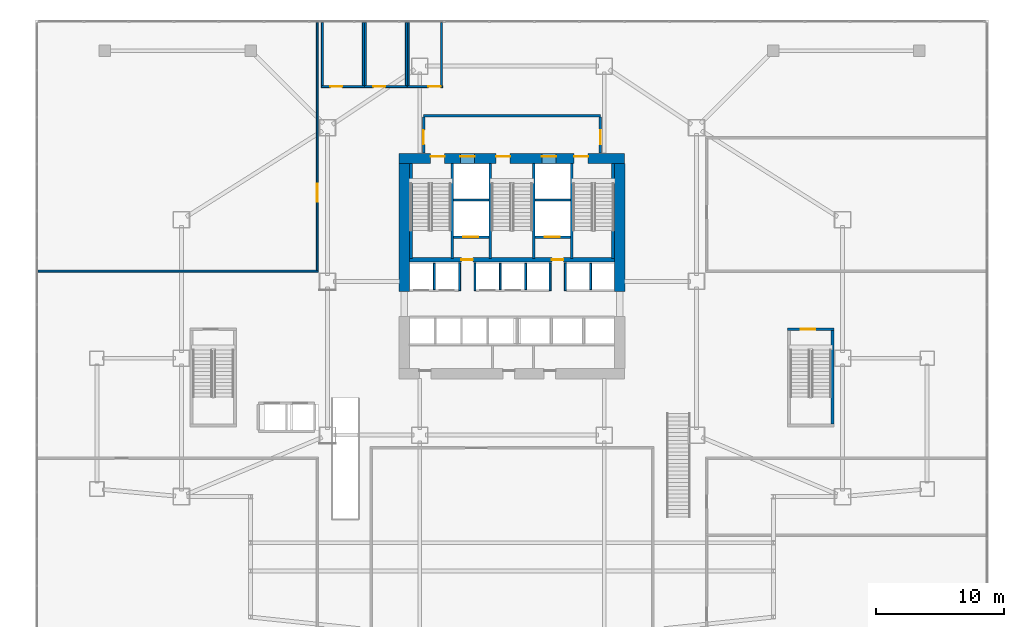
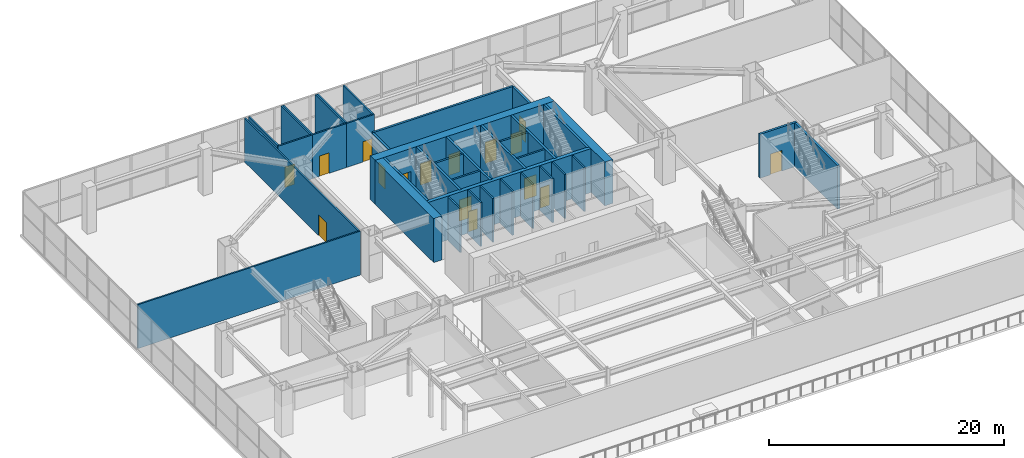
# One storey, part 25 of 31: 38 walls, 16 doors, 16 openings.
"""IFC4 building model written with IfcOpenShell, lengths in metres."""

from ifc_helpers import new_model, si_unit, direction, frame, frame_2d, origin, place, context, subcontext, project, spatial, rectangle, extrude, material, layer, layer_set, type_object, element, fill, save


model = new_model("IFC4")

# Units and contexts
model_context = context("Model", 3, precision=1e-05, world=origin(), true_north=direction((0.0, 1.0)))
body_context = subcontext(model_context, "Body", "Model", "MODEL_VIEW")
ifc_project = project(units=[si_unit("LENGTHUNIT", "METRE"), si_unit("AREAUNIT", "SQUARE_METRE"), si_unit("VOLUMEUNIT", "CUBIC_METRE"), si_unit("PLANEANGLEUNIT", "RADIAN"), si_unit("MASSUNIT", "GRAM", prefix="KILO")], contexts=[model_context])

# Site, building, storey
site_placement = place(None, origin())
site = spatial("IfcSite", under=ifc_project, at=site_placement, CompositionType="ELEMENT")
building_placement = place(site_placement, origin())
building = spatial("IfcBuilding", under=site, at=building_placement, Name="Haolan Belvedere Tower", CompositionType="ELEMENT")
storey_placement = place(building_placement, frame((0.0, 0.0, 5.39990234375)))
storey = spatial("IfcBuildingStorey", under=building, at=storey_placement, Name="L01", CompositionType="ELEMENT", Elevation=5.39990234375)

# Wall, openings, doors
ifc_material_1 = material(Name="Concrete C70/85", Category="concrete")
ifc_layer_1 = layer(ifc_material_1, 0.800048828125, Name="Concrete C70/85")
ifc_layer_set_1 = layer_set([ifc_layer_1], Name="Concrete C70/85")
wall_type_1 = type_object("IfcWallType", Name="WL-CORE-800", PredefinedType="SHEAR", material=ifc_layer_set_1)
wall_1_placement = place(storey_placement, frame((29.60009765625, 43.199951171875, 0.0), z_axis=(0.0, 0.0, 1.0), x_axis=(1.0, 0.0, 0.0)))
wall_1 = element("IfcWall", 1, at=wall_1_placement, inside=storey, type_object=wall_type_1, Name="L01 central core north shear wall", PredefinedType="SHEAR", context=body_context, shape_type="SweptSolid", body=[
    extrude(rectangle(XDim=17.599853515625, YDim=0.800048828125, at=frame_2d((8.7998046875, 0.0))), origin(), (0.0, 0.0, 1.0), 4.56005859375),
])
opening_1_placement = place(wall_1_placement, frame((2.449951171875, 0.0, 0.0)))
opening_1 = element("IfcOpeningElement", 2, at=opening_1_placement, cuts=wall_1, Name="Opening FD-03", PredefinedType="OPENING", context=body_context, shape_type="SweptSolid", body=[
    extrude(rectangle(XDim=1.10009765625, YDim=2.14990234375, at=frame_2d((0.550048828125, 1.074951171875))), frame((0.0, 0.409912109375, 0.0), z_axis=(0.0, -1.0, 0.0), x_axis=(1.0, 0.0, 0.0)), (0.0, 0.0, 1.0), 0.820068359375),
])
opening_2_placement = place(wall_1_placement, frame((7.56005859375, 0.0, 0.0)))
opening_2 = element("IfcOpeningElement", 3, at=opening_2_placement, cuts=wall_1, Name="Opening FD-03", PredefinedType="OPENING", context=body_context, shape_type="SweptSolid", body=[
    extrude(rectangle(XDim=1.10009765625, YDim=2.14990234375, at=frame_2d((0.550048828125, 1.074951171875))), frame((0.0, 0.409912109375, 0.0), z_axis=(0.0, -1.0, 0.0), x_axis=(1.0, 0.0, 0.0)), (0.0, 0.0, 1.0), 0.820068359375),
])
opening_3_placement = place(wall_1_placement, frame((13.64990234375, 0.0, 0.0)))
opening_3 = element("IfcOpeningElement", 4, at=opening_3_placement, cuts=wall_1, Name="Opening FD-03", PredefinedType="OPENING", context=body_context, shape_type="SweptSolid", body=[
    extrude(rectangle(XDim=1.10009765625, YDim=2.14990234375, at=frame_2d((0.550048828125, 1.074951171875))), frame((0.0, 0.409912109375, 0.0), z_axis=(0.0, -1.0, 0.0), x_axis=(1.0, 0.0, 0.0)), (0.0, 0.0, 1.0), 0.820068359375),
])
opening_4_placement = place(wall_1_placement, frame((4.780029296875, 0.0, 0.0)))
opening_4 = element("IfcOpeningElement", 5, at=opening_4_placement, cuts=wall_1, Name="Opening LD-01", PredefinedType="OPENING", context=body_context, shape_type="SweptSolid", body=[
    extrude(rectangle(XDim=1.10009765625, YDim=2.199951171875, at=frame_2d((0.550048828125, 1.10009765625))), frame((0.0, 0.409912109375, 0.0), z_axis=(0.0, -1.0, 0.0), x_axis=(1.0, 0.0, 0.0)), (0.0, 0.0, 1.0), 0.820068359375),
])
opening_5_placement = place(wall_1_placement, frame((11.139892578125, 0.0, 0.0)))
opening_5 = element("IfcOpeningElement", 6, at=opening_5_placement, cuts=wall_1, Name="Opening LD-01", PredefinedType="OPENING", context=body_context, shape_type="SweptSolid", body=[
    extrude(rectangle(XDim=1.10009765625, YDim=2.199951171875, at=frame_2d((0.550048828125, 1.10009765625))), frame((0.0, 0.409912109375, 0.0), z_axis=(0.0, -1.0, 0.0), x_axis=(1.0, 0.0, 0.0)), (0.0, 0.0, 1.0), 0.820068359375),
])
ifc_material_2 = material(Name="Galvanised fire-rated steel", Category="steel")
door_type_1 = type_object("IfcDoorType", Name="DR-FD90-1100", OperationType="NOTDEFINED", PredefinedType="DOOR", material=ifc_material_2)
door_1_placement = place(opening_1_placement, origin())
door_1 = element("IfcDoor", 7, at=door_1_placement, inside=storey, type_object=door_type_1, Name="L01 door CD-L01-ST1", OperationType="SINGLE_SWING_LEFT", OverallHeight=2.14990234375, OverallWidth=1.10009765625, PredefinedType="DOOR", context=body_context, shape_type="SweptSolid", body=[
    extrude(rectangle(XDim=1.10009765625, YDim=2.14990234375, at=frame_2d((0.550048828125, 1.074951171875))), frame((0.0, 0.18505859375, 0.0), z_axis=(0.0, -1.0, 0.0), x_axis=(1.0, 0.0, 0.0)), (0.0, 0.0, 1.0), 0.050048828125),
])
fill(opening_1, door_1)
door_2_placement = place(opening_2_placement, origin())
door_2 = element("IfcDoor", 8, at=door_2_placement, inside=storey, type_object=door_type_1, Name="L01 door CD-L01-ST3", OperationType="SINGLE_SWING_LEFT", OverallHeight=2.14990234375, OverallWidth=1.10009765625, PredefinedType="DOOR", context=body_context, shape_type="SweptSolid", body=[
    extrude(rectangle(XDim=1.10009765625, YDim=2.14990234375, at=frame_2d((0.550048828125, 1.074951171875))), frame((0.0, 0.18505859375, 0.0), z_axis=(0.0, -1.0, 0.0), x_axis=(1.0, 0.0, 0.0)), (0.0, 0.0, 1.0), 0.050048828125),
])
fill(opening_2, door_2)
door_3_placement = place(opening_3_placement, origin())
door_3 = element("IfcDoor", 9, at=door_3_placement, inside=storey, type_object=door_type_1, Name="L01 door CD-L01-ST2", OperationType="SINGLE_SWING_RIGHT", OverallHeight=2.14990234375, OverallWidth=1.10009765625, PredefinedType="DOOR", context=body_context, shape_type="SweptSolid", body=[
    extrude(rectangle(XDim=1.10009765625, YDim=2.14990234375, at=frame_2d((0.550048828125, 1.074951171875))), frame((0.0, 0.18505859375, 0.0), z_axis=(0.0, -1.0, 0.0), x_axis=(1.0, 0.0, 0.0)), (0.0, 0.0, 1.0), 0.050048828125),
])
fill(opening_3, door_3)
ifc_material_3 = material(Name="Brushed champagne stainless steel 316L", Category="steel")
door_type_2 = type_object("IfcDoorType", Name="DR-LIFT-1100", OperationType="SLIDING_TO_LEFT", PredefinedType="DOOR", material=ifc_material_3)
door_4_placement = place(opening_4_placement, origin())
door_4 = element("IfcDoor", 10, at=door_4_placement, inside=storey, type_object=door_type_2, Name="L01 door LD-L01-FF1", OperationType="SLIDING_TO_LEFT", OverallHeight=2.199951171875, OverallWidth=1.10009765625, PredefinedType="DOOR", context=body_context, shape_type="SweptSolid", body=[
    extrude(rectangle(XDim=1.10009765625, YDim=2.199951171875, at=frame_2d((0.550048828125, 1.10009765625))), frame((0.0, 0.18505859375, 0.0), z_axis=(0.0, -1.0, 0.0), x_axis=(1.0, 0.0, 0.0)), (0.0, 0.0, 1.0), 0.050048828125),
])
fill(opening_4, door_4)
door_5_placement = place(opening_5_placement, origin())
door_5 = element("IfcDoor", 11, at=door_5_placement, inside=storey, type_object=door_type_2, Name="L01 door LD-L01-FF2", OperationType="SLIDING_TO_LEFT", OverallHeight=2.199951171875, OverallWidth=1.10009765625, PredefinedType="DOOR", context=body_context, shape_type="SweptSolid", body=[
    extrude(rectangle(XDim=1.10009765625, YDim=2.199951171875, at=frame_2d((0.550048828125, 1.10009765625))), frame((0.0, 0.18505859375, 0.0), z_axis=(0.0, -1.0, 0.0), x_axis=(1.0, 0.0, 0.0)), (0.0, 0.0, 1.0), 0.050048828125),
])
fill(opening_5, door_5)

# Walls
for number, where, z_axis, x_axis, name in (
    (12, (30.0, 32.800048828125, 0.0), (0.0, 0.0, 1.0), (0.0, 1.0, 0.0), "L01 central core shear wall WN"),
    (13, (46.800048828125, 32.800048828125, 0.0), (0.0, 0.0, 1.0), (0.0, 1.0, 0.0), "L01 central core shear wall EN"),
):
    element("IfcWall", number, at=place(storey_placement, frame(where, z_axis=z_axis, x_axis=x_axis)), inside=storey, type_object=wall_type_1, Name=name, PredefinedType="SHEAR", context=body_context, shape_type="SweptSolid", body=[
        extrude(rectangle(XDim=10.0, YDim=0.800048828125, at=frame_2d((5.0, 0.0))), origin(), (0.0, 0.0, 1.0), 4.56005859375),
    ])
ifc_material_4 = material(Name="Concrete C40/50", Category="concrete")
ifc_layer_2 = layer(ifc_material_4, 0.199951171875, Name="Concrete C40/50")
ifc_layer_set_2 = layer_set([ifc_layer_2], Name="Concrete C40/50")
wall_type_2 = type_object("IfcWallType", Name="WL-FIRE-200", PredefinedType="SOLIDWALL", material=ifc_layer_set_2)
wall_2_placement = place(storey_placement, frame((31.5, 46.52001953125, 0.0), z_axis=(0.0, 0.0, 1.0), x_axis=(1.0, 0.0, 0.0)))
element("IfcWall", 14, at=wall_2_placement, inside=storey, type_object=wall_type_2, Name="L01 interior partition IW-L01-FFL-N", PredefinedType="SOLIDWALL", context=body_context, shape_type="SweptSolid", body=[
    extrude(rectangle(XDim=13.800048828125, YDim=0.199951171875, at=frame_2d((6.89990234375, 0.0))), origin(), (0.0, 0.0, 1.0), 4.56005859375),
])

# Wall, opening, door
wall_3_placement = place(storey_placement, frame((31.5, 43.60009765625, 0.0), z_axis=(0.0, 0.0, 1.0), x_axis=(0.0, 1.0, 0.0)))
wall_3 = element("IfcWall", 15, at=wall_3_placement, inside=storey, type_object=wall_type_2, Name="L01 interior partition IW-L01-FFL-W", PredefinedType="SOLIDWALL", context=body_context, shape_type="SweptSolid", body=[
    extrude(rectangle(XDim=2.8349609375, YDim=0.199951171875, at=frame_2d((1.41748046875, 0.0))), origin(), (0.0, 0.0, 1.0), 4.56005859375),
])
opening_6_placement = place(wall_3_placement, frame((1.800048828125, 0.0, 0.0), z_axis=(0.0, 0.0, 1.0), x_axis=(-1.0, 0.0, 0.0)))
opening_6 = element("IfcOpeningElement", 16, at=opening_6_placement, cuts=wall_3, Name="Opening FD-03", PredefinedType="OPENING", context=body_context, shape_type="SweptSolid", body=[
    extrude(rectangle(XDim=1.10009765625, YDim=2.14990234375, at=frame_2d((0.550048828125, 1.074951171875))), frame((0.0, 0.10986328125, 0.0), z_axis=(0.0, -1.0, 0.0), x_axis=(1.0, 0.0, 0.0)), (0.0, 0.0, 1.0), 0.219970703125),
])
door_6_placement = place(opening_6_placement, origin())
door_6 = element("IfcDoor", 17, at=door_6_placement, inside=storey, type_object=door_type_1, Name="L01 door ID-L01-FFL-DW", OperationType="SINGLE_SWING_LEFT", OverallHeight=2.14990234375, OverallWidth=1.10009765625, PredefinedType="DOOR", context=body_context, shape_type="SweptSolid", body=[
    extrude(rectangle(XDim=1.10009765625, YDim=2.14990234375, at=frame_2d((0.550048828125, 1.074951171875))), frame((0.0, 0.02490234375, 0.0), z_axis=(0.0, -1.0, 0.0), x_axis=(1.0, 0.0, 0.0)), (0.0, 0.0, 1.0), 0.050048828125),
])
fill(opening_6, door_6)

wall_4_placement = place(storey_placement, frame((45.300048828125, 43.60009765625, 0.0), z_axis=(0.0, 0.0, 1.0), x_axis=(0.0, 1.0, 0.0)))
wall_4 = element("IfcWall", 18, at=wall_4_placement, inside=storey, type_object=wall_type_2, Name="L01 interior partition IW-L01-FFL-E", PredefinedType="SOLIDWALL", context=body_context, shape_type="SweptSolid", body=[
    extrude(rectangle(XDim=2.8349609375, YDim=0.199951171875, at=frame_2d((1.41748046875, 0.0))), origin(), (0.0, 0.0, 1.0), 4.56005859375),
])
opening_7_placement = place(wall_4_placement, frame((0.699951171875, 0.0, 0.0)))
opening_7 = element("IfcOpeningElement", 19, at=opening_7_placement, cuts=wall_4, Name="Opening FD-03", PredefinedType="OPENING", context=body_context, shape_type="SweptSolid", body=[
    extrude(rectangle(XDim=1.10009765625, YDim=2.14990234375, at=frame_2d((0.550048828125, 1.074951171875))), frame((0.0, 0.10986328125, 0.0), z_axis=(0.0, -1.0, 0.0), x_axis=(1.0, 0.0, 0.0)), (0.0, 0.0, 1.0), 0.219970703125),
])
door_7_placement = place(opening_7_placement, origin())
door_7 = element("IfcDoor", 20, at=door_7_placement, inside=storey, type_object=door_type_1, Name="L01 door ID-L01-FFL-DE", OperationType="SINGLE_SWING_RIGHT", OverallHeight=2.14990234375, OverallWidth=1.10009765625, PredefinedType="DOOR", context=body_context, shape_type="SweptSolid", body=[
    extrude(rectangle(XDim=1.10009765625, YDim=2.14990234375, at=frame_2d((0.550048828125, 1.074951171875))), frame((0.0, 0.02490234375, 0.0), z_axis=(0.0, -1.0, 0.0), x_axis=(1.0, 0.0, 0.0)), (0.0, 0.0, 1.0), 0.050048828125),
])
fill(opening_7, door_7)

ifc_material_5 = material(Name="Double gypsum acoustic stud partition", Category="masonry")
ifc_layer_3 = layer(ifc_material_5, 0.14990234375, Name="Double gypsum acoustic stud partition")
ifc_layer_set_3 = layer_set([ifc_layer_3], Name="Double gypsum acoustic stud partition")
wall_type_3 = type_object("IfcWallType", Name="WL-PART-150", PredefinedType="PARTITIONING", material=ifc_layer_set_3)
wall_5_placement = place(storey_placement, frame((23.52001953125, 48.800048828125, 0.0), z_axis=(0.0, 0.0, 1.0), x_axis=(1.0, 0.0, 0.0)))
wall_5 = element("IfcWall", 21, at=wall_5_placement, inside=storey, type_object=wall_type_3, Name="L01 interior partition IW-L01-WCM-S", PredefinedType="PARTITIONING", context=body_context, shape_type="SweptSolid", body=[
    extrude(rectangle(XDim=3.35986328125, YDim=0.14990234375, at=frame_2d((1.679931640625, 0.0))), origin(), (0.0, 0.0, 1.0), 4.56005859375),
])
opening_8_placement = place(wall_5_placement, frame((0.699951171875, 0.0, 0.0)))
opening_8 = element("IfcOpeningElement", 22, at=opening_8_placement, cuts=wall_5, Name="Opening ID-03", PredefinedType="OPENING", context=body_context, shape_type="SweptSolid", body=[
    extrude(rectangle(XDim=0.949951171875, YDim=2.1201171875, at=frame_2d((0.47509765625, 1.06005859375))), frame((0.0, 0.0849609375, 0.0), z_axis=(0.0, -1.0, 0.0), x_axis=(1.0, 0.0, 0.0)), (0.0, 0.0, 1.0), 0.169921875),
])
ifc_material_6 = material(Name="Painted solid-core timber", Category="wood")
door_type_3 = type_object("IfcDoorType", Name="DR-INT-950", OperationType="NOTDEFINED", PredefinedType="DOOR", material=ifc_material_6)
door_8_placement = place(opening_8_placement, origin())
door_8 = element("IfcDoor", 23, at=door_8_placement, inside=storey, type_object=door_type_3, Name="L01 door ID-L01-WCM", OperationType="SINGLE_SWING_LEFT", OverallHeight=2.1201171875, OverallWidth=0.949951171875, PredefinedType="DOOR", context=body_context, shape_type="SweptSolid", body=[
    extrude(rectangle(XDim=0.949951171875, YDim=2.1201171875, at=frame_2d((0.47509765625, 1.06005859375))), frame((0.0, 0.02490234375, 0.0), z_axis=(0.0, -1.0, 0.0), x_axis=(1.0, 0.0, 0.0)), (0.0, 0.0, 1.0), 0.050048828125),
])
fill(opening_8, door_8)

# Walls
for number, where, z_axis, x_axis, name in (
    (24, (23.60009765625, 48.860107421875, 0.0), (0.0, 0.0, 1.0), (0.0, 1.0, 0.0), "L01 interior partition IW-L01-WCM-W"),
    (25, (26.800048828125, 48.860107421875, 0.0), (0.0, 0.0, 1.0), (0.0, 1.0, 0.0), "L01 interior partition IW-L01-WCM-E"),
):
    element("IfcWall", number, at=place(storey_placement, frame(where, z_axis=z_axis, x_axis=x_axis)), inside=storey, type_object=wall_type_3, Name=name, PredefinedType="PARTITIONING", context=body_context, shape_type="SweptSolid", body=[
        extrude(rectangle(XDim=4.927978515625, YDim=0.14990234375, at=frame_2d((2.4638671875, 0.0))), origin(), (0.0, 0.0, 1.0), 4.56005859375),
    ])

# Wall, opening, door
wall_6_placement = place(storey_placement, frame((26.882080078125, 48.800048828125, 0.0), z_axis=(0.0, 0.0, 1.0), x_axis=(1.0, 0.0, 0.0)))
wall_6 = element("IfcWall", 26, at=wall_6_placement, inside=storey, type_object=wall_type_3, Name="L01 interior partition IW-L01-WCF-S", PredefinedType="PARTITIONING", context=body_context, shape_type="SweptSolid", body=[
    extrude(rectangle(XDim=3.347900390625, YDim=0.14990234375, at=frame_2d((1.673828125, 0.0))), origin(), (0.0, 0.0, 1.0), 4.56005859375),
])
opening_9_placement = place(wall_6_placement, frame((0.68798828125, 0.0, 0.0)))
opening_9 = element("IfcOpeningElement", 27, at=opening_9_placement, cuts=wall_6, Name="Opening ID-03", PredefinedType="OPENING", context=body_context, shape_type="SweptSolid", body=[
    extrude(rectangle(XDim=0.949951171875, YDim=2.1201171875, at=frame_2d((0.47509765625, 1.06005859375))), frame((0.0, 0.0849609375, 0.0), z_axis=(0.0, -1.0, 0.0), x_axis=(1.0, 0.0, 0.0)), (0.0, 0.0, 1.0), 0.169921875),
])
door_9_placement = place(opening_9_placement, origin())
door_9 = element("IfcDoor", 28, at=door_9_placement, inside=storey, type_object=door_type_3, Name="L01 door ID-L01-WCF", OperationType="SINGLE_SWING_RIGHT", OverallHeight=2.1201171875, OverallWidth=0.949951171875, PredefinedType="DOOR", context=body_context, shape_type="SweptSolid", body=[
    extrude(rectangle(XDim=0.949951171875, YDim=2.1201171875, at=frame_2d((0.47509765625, 1.06005859375))), frame((0.0, 0.02490234375, 0.0), z_axis=(0.0, -1.0, 0.0), x_axis=(1.0, 0.0, 0.0)), (0.0, 0.0, 1.0), 0.050048828125),
])
fill(opening_9, door_9)

# Walls
for number, where, z_axis, x_axis, name in (
    (29, (26.949951171875, 48.860107421875, 0.0), (0.0, 0.0, 1.0), (0.0, 1.0, 0.0), "L01 interior partition IW-L01-WCF-W"),
    (30, (30.14990234375, 48.860107421875, 0.0), (0.0, 0.0, 1.0), (0.0, 1.0, 0.0), "L01 interior partition IW-L01-WCF-E"),
):
    element("IfcWall", number, at=place(storey_placement, frame(where, z_axis=z_axis, x_axis=x_axis)), inside=storey, type_object=wall_type_3, Name=name, PredefinedType="PARTITIONING", context=body_context, shape_type="SweptSolid", body=[
        extrude(rectangle(XDim=4.927978515625, YDim=0.14990234375, at=frame_2d((2.4638671875, 0.0))), origin(), (0.0, 0.0, 1.0), 4.56005859375),
    ])

# Wall, opening, door
wall_7_placement = place(storey_placement, frame((30.23193359375, 48.800048828125, 0.0), z_axis=(0.0, 0.0, 1.0), x_axis=(1.0, 0.0, 0.0)))
wall_7 = element("IfcWall", 31, at=wall_7_placement, inside=storey, type_object=wall_type_3, Name="L01 interior partition IW-L01-WCA-S", PredefinedType="PARTITIONING", context=body_context, shape_type="SweptSolid", body=[
    extrude(rectangle(XDim=2.748046875, YDim=0.14990234375, at=frame_2d((1.3740234375, 0.0))), origin(), (0.0, 0.0, 1.0), 4.56005859375),
])
opening_10_placement = place(wall_7_placement, frame((1.637939453125, 0.0, 0.0)))
opening_10 = element("IfcOpeningElement", 32, at=opening_10_placement, cuts=wall_7, Name="Opening ID-03", PredefinedType="OPENING", context=body_context, shape_type="SweptSolid", body=[
    extrude(rectangle(XDim=0.949951171875, YDim=2.1201171875, at=frame_2d((0.47509765625, 1.06005859375))), frame((0.0, 0.0849609375, 0.0), z_axis=(0.0, -1.0, 0.0), x_axis=(1.0, 0.0, 0.0)), (0.0, 0.0, 1.0), 0.169921875),
])
door_10_placement = place(opening_10_placement, origin())
door_10 = element("IfcDoor", 33, at=door_10_placement, inside=storey, type_object=door_type_3, Name="L01 door ID-L01-WCA", OperationType="SINGLE_SWING_RIGHT", OverallHeight=2.1201171875, OverallWidth=0.949951171875, PredefinedType="DOOR", context=body_context, shape_type="SweptSolid", body=[
    extrude(rectangle(XDim=0.949951171875, YDim=2.1201171875, at=frame_2d((0.47509765625, 1.06005859375))), frame((0.0, 0.02490234375, 0.0), z_axis=(0.0, -1.0, 0.0), x_axis=(1.0, 0.0, 0.0)), (0.0, 0.0, 1.0), 0.050048828125),
])
fill(opening_10, door_10)

# Walls
for number, where, z_axis, x_axis, name in (
    (34, (30.300048828125, 48.860107421875, 0.0), (0.0, 0.0, 1.0), (0.0, 1.0, 0.0), "L01 interior partition IW-L01-WCA-W"),
    (35, (32.89990234375, 48.860107421875, 0.0), (0.0, 0.0, 1.0), (0.0, 1.0, 0.0), "L01 interior partition IW-L01-WCA-E"),
):
    element("IfcWall", number, at=place(storey_placement, frame(where, z_axis=z_axis, x_axis=x_axis)), inside=storey, type_object=wall_type_3, Name=name, PredefinedType="PARTITIONING", context=body_context, shape_type="SweptSolid", body=[
        extrude(rectangle(XDim=4.927978515625, YDim=0.14990234375, at=frame_2d((2.4638671875, 0.0))), origin(), (0.0, 0.0, 1.0), 4.56005859375),
    ])
wall_8_placement = place(storey_placement, frame((1.412109375, 34.39990234375, 0.0), z_axis=(0.0, 0.0, 1.0), x_axis=(1.0, 0.0, 0.0)))
element("IfcWall", 36, at=wall_8_placement, inside=storey, type_object=wall_type_3, Name="L01 interior partition IW-L01-KIT-S", PredefinedType="PARTITIONING", context=body_context, shape_type="SweptSolid", body=[
    extrude(rectangle(XDim=21.867919921875, YDim=0.14990234375, at=frame_2d((10.93408203125, 0.0))), origin(), (0.0, 0.0, 1.0), 4.56005859375),
])

# Wall, opening, door
wall_9_placement = place(storey_placement, frame((23.199951171875, 34.4599609375, 0.0), z_axis=(0.0, 0.0, 1.0), x_axis=(0.0, 1.0, 0.0)))
wall_9 = element("IfcWall", 37, at=wall_9_placement, inside=storey, type_object=wall_type_3, Name="L01 interior partition IW-L01-KIT-E", PredefinedType="PARTITIONING", context=body_context, shape_type="SweptSolid", body=[
    extrude(rectangle(XDim=19.328125, YDim=0.14990234375, at=frame_2d((9.6640625, 0.0))), origin(), (0.0, 0.0, 1.0), 4.56005859375),
])
opening_11_placement = place(wall_9_placement, frame((6.760009765625, 0.0, 0.0), z_axis=(0.0, 0.0, 1.0), x_axis=(-1.0, 0.0, 0.0)))
opening_11 = element("IfcOpeningElement", 38, at=opening_11_placement, cuts=wall_9, Name="Opening ID-07", PredefinedType="OPENING", context=body_context, shape_type="SweptSolid", body=[
    extrude(rectangle(XDim=1.39990234375, YDim=2.179931640625, at=frame_2d((0.699951171875, 1.08984375))), frame((0.0, 0.0849609375, 0.0), z_axis=(0.0, -1.0, 0.0), x_axis=(1.0, 0.0, 0.0)), (0.0, 0.0, 1.0), 0.169921875),
])
ifc_material_7 = material(Name="Anodised champagne aluminium and acoustic glass", Category="aluminium")
door_type_4 = type_object("IfcDoorType", Name="DR-DBL-1400", OperationType="DOUBLE_DOOR_SINGLE_SWING", PredefinedType="DOOR", material=ifc_material_7)
door_11_placement = place(opening_11_placement, origin())
door_11 = element("IfcDoor", 39, at=door_11_placement, inside=storey, type_object=door_type_4, Name="L01 door ID-L01-KIT", OperationType="DOUBLE_DOOR_SINGLE_SWING", OverallHeight=2.179931640625, OverallWidth=1.39990234375, PredefinedType="DOOR", context=body_context, shape_type="SweptSolid", body=[
    extrude(rectangle(XDim=1.39990234375, YDim=2.179931640625, at=frame_2d((0.699951171875, 1.08984375))), frame((0.0, 0.02490234375, 0.0), z_axis=(0.0, -1.0, 0.0), x_axis=(1.0, 0.0, 0.0)), (0.0, 0.0, 1.0), 0.050048828125),
])
fill(opening_11, door_11)

# Walls
ifc_material_8 = material(Name="Gypsum fire shaftwall assembly", Category="masonry")
ifc_layer_4 = layer(ifc_material_8, 0.1650390625, Name="Gypsum fire shaftwall assembly")
ifc_layer_set_4 = layer_set([ifc_layer_4], Name="Gypsum fire shaftwall assembly")
wall_type_4 = type_object("IfcWallType", Name="WL-SHAFT-160", PredefinedType="SOLIDWALL", material=ifc_layer_set_4)
for number, where, z_axis, x_axis, name in (
    (40, (34.31005859375, 32.8798828125, 0.0), (0.0, 0.0, 1.0), (0.0, 1.0, 0.0), "L01 interior partition IW-L01-SVP-W-SV1"),
    (41, (35.510009765625, 32.8798828125, 0.0), (0.0, 0.0, 1.0), (0.0, 1.0, 0.0), "L01 interior partition IW-L01-SVP-E-SV1"),
    (42, (41.3701171875, 32.8798828125, 0.0), (0.0, 0.0, 1.0), (0.0, 1.0, 0.0), "L01 interior partition IW-L01-SVP-W-SV2"),
    (43, (42.570068359375, 32.8798828125, 0.0), (0.0, 0.0, 1.0), (0.0, 1.0, 0.0), "L01 interior partition IW-L01-SVP-E-SV2"),
):
    element("IfcWall", number, at=place(storey_placement, frame(where, z_axis=z_axis, x_axis=x_axis)), inside=storey, type_object=wall_type_4, Name=name, PredefinedType="SOLIDWALL", context=body_context, shape_type="SweptSolid", body=[
        extrude(rectangle(XDim=2.170166015625, YDim=0.14990234375, at=frame_2d((1.0849609375, 0.0))), origin(), (0.0, 0.0, 1.0), 4.56005859375),
    ])
for number, where, z_axis, x_axis, name in (
    (44, (32.340087890625, 32.949951171875, 0.0), (0.0, 0.0, 1.0), (0.0, 1.0, 0.0), "L01 interior partition IW-L01-DIV-PL1"),
    (45, (37.47998046875, 32.949951171875, 0.0), (0.0, 0.0, 1.0), (0.0, 1.0, 0.0), "L01 interior partition IW-L01-DIV-PL3"),
    (46, (39.469970703125, 32.949951171875, 0.0), (0.0, 0.0, 1.0), (0.0, 1.0, 0.0), "L01 interior partition IW-L01-DIV-PL4"),
    (47, (44.530029296875, 32.949951171875, 0.0), (0.0, 0.0, 1.0), (0.0, 1.0, 0.0), "L01 interior partition IW-L01-DIV-PH2"),
):
    element("IfcWall", number, at=place(storey_placement, frame(where, z_axis=z_axis, x_axis=x_axis)), inside=storey, type_object=wall_type_4, Name=name, PredefinedType="SOLIDWALL", context=body_context, shape_type="SweptSolid", body=[
        extrude(rectangle(XDim=2.050048828125, YDim=0.14990234375, at=frame_2d((1.02490234375, 0.0))), origin(), (0.0, 0.0, 1.0), 4.56005859375),
    ])
ifc_material_9 = material(Name="Precast concrete C40/50", Category="concrete")
ifc_layer_5 = layer(ifc_material_9, 0.179931640625, Name="Precast concrete C40/50")
ifc_layer_set_5 = layer_set([ifc_layer_5], Name="Precast concrete C40/50")
wall_type_5 = type_object("IfcWallType", Name="WL-SHAFT-180", PredefinedType="SOLIDWALL", material=ifc_layer_set_5)
for number, where, z_axis, x_axis, name in (
    (48, (33.8349609375, 39.949951171875, 0.0), (0.0, 0.0, 1.0), (1.0, 0.0, 0.0), "L01 interior partition IW-L01-FF1-S"),
    (49, (40.195068359375, 39.949951171875, 0.0), (0.0, 0.0, 1.0), (1.0, 0.0, 0.0), "L01 interior partition IW-L01-FF2-S"),
):
    element("IfcWall", number, at=place(storey_placement, frame(where, z_axis=z_axis, x_axis=x_axis)), inside=storey, type_object=wall_type_5, Name=name, PredefinedType="SOLIDWALL", context=body_context, shape_type="SweptSolid", body=[
        extrude(rectangle(XDim=2.77001953125, YDim=0.179931640625, at=frame_2d((1.385009765625, 0.0))), origin(), (0.0, 0.0, 1.0), 4.56005859375),
    ])

# Wall, opening, door
wall_10_placement = place(storey_placement, frame((33.8349609375, 37.050048828125, 0.0), z_axis=(0.0, 0.0, 1.0), x_axis=(1.0, 0.0, 0.0)))
wall_10 = element("IfcWall", 50, at=wall_10_placement, inside=storey, type_object=wall_type_5, Name="L01 interior partition IW-L01-SV1-S", PredefinedType="SOLIDWALL", context=body_context, shape_type="SweptSolid", body=[
    extrude(rectangle(XDim=2.77001953125, YDim=0.179931640625, at=frame_2d((1.385009765625, 0.0))), origin(), (0.0, 0.0, 1.0), 4.56005859375),
])
opening_12_placement = place(wall_10_placement, frame((1.945068359375, 0.0, 0.0), z_axis=(0.0, 0.0, 1.0), x_axis=(-1.0, 0.0, 0.0)))
opening_12 = element("IfcOpeningElement", 51, at=opening_12_placement, cuts=wall_10, Name="Opening LD-02", PredefinedType="OPENING", context=body_context, shape_type="SweptSolid", body=[
    extrude(rectangle(XDim=1.199951171875, YDim=2.199951171875, at=frame_2d((0.60009765625, 1.10009765625))), frame((0.0, 0.099853515625, 0.0), z_axis=(0.0, -1.0, 0.0), x_axis=(1.0, 0.0, 0.0)), (0.0, 0.0, 1.0), 0.199951171875),
])
door_type_5 = type_object("IfcDoorType", Name="DR-LIFT-1200", OperationType="SLIDING_TO_RIGHT", PredefinedType="DOOR", material=ifc_material_3)
door_12_placement = place(opening_12_placement, origin())
door_12 = element("IfcDoor", 52, at=door_12_placement, inside=storey, type_object=door_type_5, Name="L01 door ID-L01-LD-SV1", OperationType="SLIDING_TO_RIGHT", OverallHeight=2.199951171875, OverallWidth=1.199951171875, PredefinedType="DOOR", context=body_context, shape_type="SweptSolid", body=[
    extrude(rectangle(XDim=1.199951171875, YDim=2.199951171875, at=frame_2d((0.60009765625, 1.10009765625))), frame((0.0, 0.02490234375, 0.0), z_axis=(0.0, -1.0, 0.0), x_axis=(1.0, 0.0, 0.0)), (0.0, 0.0, 1.0), 0.050048828125),
])
fill(opening_12, door_12)

wall_11_placement = place(storey_placement, frame((40.195068359375, 37.050048828125, 0.0), z_axis=(0.0, 0.0, 1.0), x_axis=(1.0, 0.0, 0.0)))
wall_11 = element("IfcWall", 53, at=wall_11_placement, inside=storey, type_object=wall_type_5, Name="L01 interior partition IW-L01-SV2-S", PredefinedType="SOLIDWALL", context=body_context, shape_type="SweptSolid", body=[
    extrude(rectangle(XDim=2.77001953125, YDim=0.179931640625, at=frame_2d((1.385009765625, 0.0))), origin(), (0.0, 0.0, 1.0), 4.56005859375),
])
opening_13_placement = place(wall_11_placement, frame((1.945068359375, 0.0, 0.0), z_axis=(0.0, 0.0, 1.0), x_axis=(-1.0, 0.0, 0.0)))
opening_13 = element("IfcOpeningElement", 54, at=opening_13_placement, cuts=wall_11, Name="Opening LD-02", PredefinedType="OPENING", context=body_context, shape_type="SweptSolid", body=[
    extrude(rectangle(XDim=1.199951171875, YDim=2.199951171875, at=frame_2d((0.60009765625, 1.10009765625))), frame((0.0, 0.099853515625, 0.0), z_axis=(0.0, -1.0, 0.0), x_axis=(1.0, 0.0, 0.0)), (0.0, 0.0, 1.0), 0.199951171875),
])
door_13_placement = place(opening_13_placement, origin())
door_13 = element("IfcDoor", 55, at=door_13_placement, inside=storey, type_object=door_type_5, Name="L01 door ID-L01-LD-SV2", OperationType="SLIDING_TO_RIGHT", OverallHeight=2.199951171875, OverallWidth=1.199951171875, PredefinedType="DOOR", context=body_context, shape_type="SweptSolid", body=[
    extrude(rectangle(XDim=1.199951171875, YDim=2.199951171875, at=frame_2d((0.60009765625, 1.10009765625))), frame((0.0, 0.02490234375, 0.0), z_axis=(0.0, -1.0, 0.0), x_axis=(1.0, 0.0, 0.0)), (0.0, 0.0, 1.0), 0.050048828125),
])
fill(opening_13, door_13)

# Walls
ifc_material_10 = material(Name="Concrete C50/60", Category="concrete")
ifc_layer_6 = layer(ifc_material_10, 0.219970703125, Name="Concrete C50/60")
ifc_layer_set_6 = layer_set([ifc_layer_6], Name="Concrete C50/60")
wall_type_6 = type_object("IfcWallType", Name="WL-STAIR-220", PredefinedType="SHEAR", material=ifc_layer_set_6)
for number, where, z_axis, x_axis, name in (
    (56, (30.511962890625, 35.389892578125, 0.0), (0.0, 0.0, 1.0), (0.0, 1.0, 0.0), "L01 structural stair core wall ST1W"),
    (57, (33.739990234375, 35.389892578125, 0.0), (0.0, 0.0, 1.0), (0.0, 1.0, 0.0), "L01 structural stair core wall ST1E"),
    (58, (36.699951171875, 35.389892578125, 0.0), (0.0, 0.0, 1.0), (0.0, 1.0, 0.0), "L01 structural stair core wall ST3W"),
    (59, (40.10009765625, 35.389892578125, 0.0), (0.0, 0.0, 1.0), (0.0, 1.0, 0.0), "L01 structural stair core wall ST3E"),
    (60, (43.06005859375, 35.389892578125, 0.0), (0.0, 0.0, 1.0), (0.0, 1.0, 0.0), "L01 structural stair core wall ST2W"),
    (61, (46.2880859375, 35.389892578125, 0.0), (0.0, 0.0, 1.0), (0.0, 1.0, 0.0), "L01 structural stair core wall ST2E"),
):
    element("IfcWall", number, at=place(storey_placement, frame(where, z_axis=z_axis, x_axis=x_axis)), inside=storey, type_object=wall_type_6, Name=name, PredefinedType="SHEAR", context=body_context, shape_type="SweptSolid", body=[
        extrude(rectangle(XDim=7.41015625, YDim=0.219970703125, at=frame_2d((3.705078125, 0.0))), origin(), (0.0, 0.0, 1.0), 4.56005859375),
    ])

# Wall, opening, door
wall_12_placement = place(storey_placement, frame((59.89990234375, 29.860107421875, 0.0), z_axis=(0.0, 0.0, 1.0), x_axis=(1.0, 0.0, 0.0)))
wall_12 = element("IfcWall", 62, at=wall_12_placement, inside=storey, type_object=wall_type_6, Name="L01 podium stair ST5 structural shaft wall N", PredefinedType="SHEAR", context=body_context, shape_type="SweptSolid", body=[
    extrude(rectangle(XDim=3.6201171875, YDim=0.219970703125, at=frame_2d((1.81005859375, 0.0))), origin(), (0.0, 0.0, 1.0), 4.56005859375),
])
opening_14_placement = place(wall_12_placement, frame((1.050048828125, 0.0, 0.0)))
opening_14 = element("IfcOpeningElement", 63, at=opening_14_placement, cuts=wall_12, Name="Opening FD-03", PredefinedType="OPENING", context=body_context, shape_type="SweptSolid", body=[
    extrude(rectangle(XDim=1.10009765625, YDim=2.14990234375, at=frame_2d((0.550048828125, 1.074951171875))), frame((0.0, 0.119873046875, 0.0), z_axis=(0.0, -1.0, 0.0), x_axis=(1.0, 0.0, 0.0)), (0.0, 0.0, 1.0), 0.239990234375),
])
door_14_placement = place(opening_14_placement, origin())
door_14 = element("IfcDoor", 64, at=door_14_placement, inside=storey, type_object=door_type_1, Name="L01 door ID-L01-D-ST5", OperationType="SINGLE_SWING_RIGHT", OverallHeight=2.14990234375, OverallWidth=1.10009765625, PredefinedType="DOOR", context=body_context, shape_type="SweptSolid", body=[
    extrude(rectangle(XDim=1.10009765625, YDim=2.14990234375, at=frame_2d((0.550048828125, 1.074951171875))), frame((0.0, 0.02490234375, 0.0), z_axis=(0.0, -1.0, 0.0), x_axis=(1.0, 0.0, 0.0)), (0.0, 0.0, 1.0), 0.050048828125),
])
fill(opening_14, door_14)

# Wall
wall_13_placement = place(storey_placement, frame((63.409912109375, 22.449951171875, 0.0), z_axis=(0.0, 0.0, 1.0), x_axis=(0.0, 1.0, 0.0)))
element("IfcWall", 65, at=wall_13_placement, inside=storey, type_object=wall_type_6, Name="L01 podium stair ST5 structural shaft wall E", PredefinedType="SHEAR", context=body_context, shape_type="SweptSolid", body=[
    extrude(rectangle(XDim=7.300048828125, YDim=0.219970703125, at=frame_2d((3.64990234375, 0.0))), origin(), (0.0, 0.0, 1.0), 4.56005859375),
])

# Wall, openings, doors
ifc_material_11 = material(Name="Concrete C60/75", Category="concrete")
ifc_layer_7 = layer(ifc_material_11, 0.360107421875, Name="Concrete C60/75")
ifc_layer_set_7 = layer_set([ifc_layer_7], Name="Concrete C60/75")
wall_type_7 = type_object("IfcWallType", Name="WL-WEB-350", PredefinedType="SHEAR", material=ifc_layer_set_7)
wall_14_placement = place(storey_placement, frame((30.39990234375, 35.2900390625, 0.0), z_axis=(0.0, 0.0, 1.0), x_axis=(1.0, 0.0, 0.0)))
wall_14 = element("IfcWall", 66, at=wall_14_placement, inside=storey, type_object=wall_type_7, Name="L01 central core internal shear web", PredefinedType="SHEAR", context=body_context, shape_type="SweptSolid", body=[
    extrude(rectangle(XDim=16.0, YDim=0.360107421875, at=frame_2d((8.0, 0.0))), origin(), (0.0, 0.0, 1.0), 4.56005859375),
])
opening_15_placement = place(wall_14_placement, frame((4.949951171875, 0.0, 0.0), z_axis=(0.0, 0.0, 1.0), x_axis=(-1.0, 0.0, 0.0)))
opening_15 = element("IfcOpeningElement", 67, at=opening_15_placement, cuts=wall_14, Name="Opening FD-05", PredefinedType="OPENING", context=body_context, shape_type="SweptSolid", body=[
    extrude(rectangle(XDim=0.89990234375, YDim=2.10009765625, at=frame_2d((0.449951171875, 1.050048828125))), frame((0.0, 0.18994140625, 0.0), z_axis=(0.0, -1.0, 0.0), x_axis=(1.0, 0.0, 0.0)), (0.0, 0.0, 1.0), 0.380126953125),
])
opening_16_placement = place(wall_14_placement, frame((12.010009765625, 0.0, 0.0), z_axis=(0.0, 0.0, 1.0), x_axis=(-1.0, 0.0, 0.0)))
opening_16 = element("IfcOpeningElement", 68, at=opening_16_placement, cuts=wall_14, Name="Opening FD-05", PredefinedType="OPENING", context=body_context, shape_type="SweptSolid", body=[
    extrude(rectangle(XDim=0.89990234375, YDim=2.10009765625, at=frame_2d((0.449951171875, 1.050048828125))), frame((0.0, 0.18994140625, 0.0), z_axis=(0.0, -1.0, 0.0), x_axis=(1.0, 0.0, 0.0)), (0.0, 0.0, 1.0), 0.380126953125),
])
door_type_6 = type_object("IfcDoorType", Name="DR-FD60-900", OperationType="NOTDEFINED", PredefinedType="DOOR", material=ifc_material_2)
door_15_placement = place(opening_15_placement, origin())
door_15 = element("IfcDoor", 69, at=door_15_placement, inside=storey, type_object=door_type_6, Name="L01 door CD-L01-SVL-SV1", OperationType="SINGLE_SWING_RIGHT", OverallHeight=2.10009765625, OverallWidth=0.89990234375, PredefinedType="DOOR", context=body_context, shape_type="SweptSolid", body=[
    extrude(rectangle(XDim=0.89990234375, YDim=2.10009765625, at=frame_2d((0.449951171875, 1.050048828125))), frame((0.0, 0.02490234375, 0.0), z_axis=(0.0, -1.0, 0.0), x_axis=(1.0, 0.0, 0.0)), (0.0, 0.0, 1.0), 0.050048828125),
])
fill(opening_15, door_15)
door_16_placement = place(opening_16_placement, origin())
door_16 = element("IfcDoor", 70, at=door_16_placement, inside=storey, type_object=door_type_6, Name="L01 door CD-L01-SVL-SV2", OperationType="SINGLE_SWING_RIGHT", OverallHeight=2.10009765625, OverallWidth=0.89990234375, PredefinedType="DOOR", context=body_context, shape_type="SweptSolid", body=[
    extrude(rectangle(XDim=0.89990234375, YDim=2.10009765625, at=frame_2d((0.449951171875, 1.050048828125))), frame((0.0, 0.02490234375, 0.0), z_axis=(0.0, -1.0, 0.0), x_axis=(1.0, 0.0, 0.0)), (0.0, 0.0, 1.0), 0.050048828125),
])
fill(opening_16, door_16)

save(model, "model.ifc")
